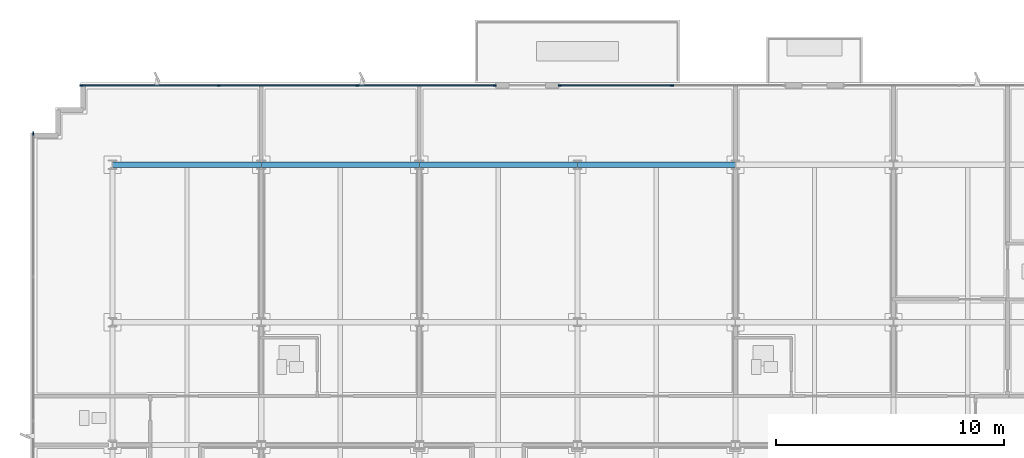
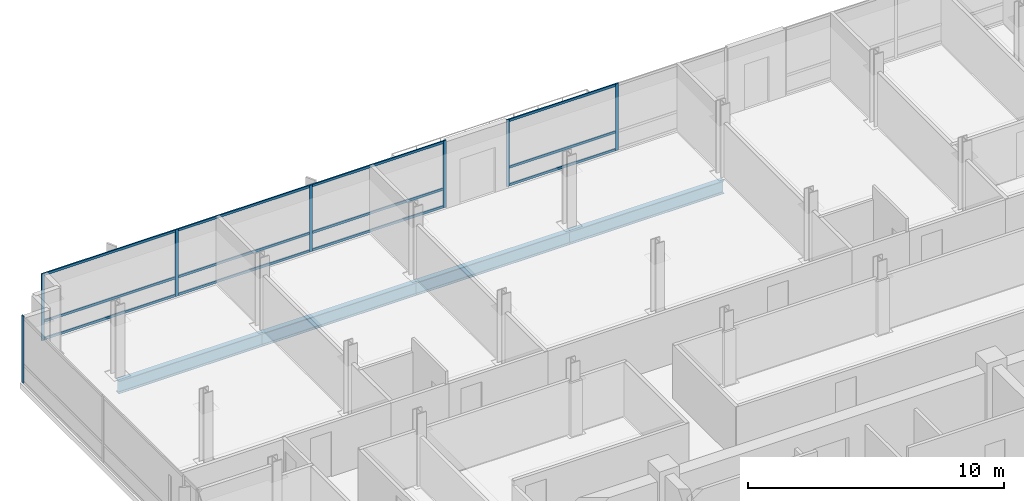
# One storey, part 8 of 19: 19 members, 4 beams, 3 elements without a shape of their own.
"""IFC4 building model written with IfcOpenShell, lengths in metres."""

from ifc_helpers import new_model, si_unit, direction, frame, origin, origin_2d, place, context, subcontext, project, spatial, rectangle, i_section, extrude, material, material_profile, profile_set, type_object, element, aggregate, save


model = new_model("IFC4")

# Units and contexts
model_context = context("Model", 3, precision=1e-05, world=origin(), true_north=direction((0.0, 1.0)))
body_context = subcontext(model_context, "Body", "Model", "MODEL_VIEW")
ifc_project = project(units=[si_unit("LENGTHUNIT", "METRE"), si_unit("AREAUNIT", "SQUARE_METRE"), si_unit("VOLUMEUNIT", "CUBIC_METRE"), si_unit("PLANEANGLEUNIT", "RADIAN"), si_unit("MASSUNIT", "GRAM", prefix="KILO")], contexts=[model_context])

# Site, building, storey
site_placement = place(None, origin())
site = spatial("IfcSite", under=ifc_project, at=site_placement, CompositionType="ELEMENT")
building_placement = place(site_placement, origin())
building = spatial("IfcBuilding", under=site, at=building_placement, Name="Solmavex Isthmus Hotel", CompositionType="ELEMENT")
storey_placement = place(building_placement, frame((0.0, 0.0, 262.64990234375)))
storey = spatial("IfcBuildingStorey", under=building, at=storey_placement, Name="L71", CompositionType="ELEMENT", Elevation=262.64990234375)

# Beams
ifc_material_1 = material(Name="Steel ASTM A992 Grade 50", Category="steel")
ifc_material_profile_1 = material_profile(ifc_material_1, i_section(OverallWidth=0.230224609375, OverallDepth=0.617431640625, WebThickness=0.01318359375, FlangeThickness=0.022216796875, FilletRadius=0.01513671875, at=origin_2d()), Name="W24X94")
ifc_profile_set_1 = profile_set([ifc_material_profile_1], Name="Steel ASTM A992 Grade 50")
beam_type = type_object("IfcBeamType", Name="BM-SP-W24X94", PredefinedType="SPANDREL", material=ifc_profile_set_1)
beam_placement = place(storey_placement, frame((-20.39990234375, 17.699951171875, -0.568603515625), z_axis=(1.0, 0.0, 0.0), x_axis=(0.0, 1.0, 0.0)))
element("IfcBeam", 1, at=beam_placement, inside=storey, type_object=beam_type, Name="Floor Girder L71-UG15", PredefinedType="SPANDREL", context=body_context, shape_type="SweptSolid", body=[
    extrude(i_section(OverallWidth=0.230224609375, OverallDepth=0.617431640625, WebThickness=0.01318359375, FlangeThickness=0.022216796875, FilletRadius=0.01513671875, at=origin_2d()), origin(), (0.0, 0.0, 1.0), 6.52783203125),
])
for number, where, z_axis, x_axis, name in (
    (2, (-13.8720703125, 17.699951171875, -0.568603515625), (1.0, 0.0, 0.0), (0.0, 1.0, 0.0), "Floor Girder L71-UG16"),
    (3, (-6.93603515625, 17.699951171875, -0.568603515625), (1.0, 0.0, 0.0), (0.0, 1.0, 0.0), "Floor Girder L71-UG17"),
    (4, (0.0, 17.699951171875, -0.568603515625), (1.0, 0.0, 0.0), (0.0, 1.0, 0.0), "Floor Girder L71-UG18"),
):
    element("IfcBeam", number, at=place(storey_placement, frame(where, z_axis=z_axis, x_axis=x_axis)), inside=storey, type_object=beam_type, Name=name, PredefinedType="SPANDREL", context=body_context, shape_type="SweptSolid", body=[
        extrude(i_section(OverallWidth=0.230224609375, OverallDepth=0.617431640625, WebThickness=0.01318359375, FlangeThickness=0.022216796875, FilletRadius=0.01513671875, at=origin_2d()), origin(), (0.0, 0.0, 1.0), 6.93603515625),
    ])

# Curtain wall, members
ifc_material_2 = material(Name="Aluminium alloy 6063-T6", Category="aluminium")
curtain_wall_type = type_object("IfcCurtainWallType", Name="CW-SYS-06", PredefinedType="NOTDEFINED", material=ifc_material_2)
curtain_wall_1_placement = place(storey_placement, origin())
curtain_wall_1 = element("IfcCurtainWall", 5, at=curtain_wall_1_placement, inside=storey, type_object=curtain_wall_type, Name="Stick Curtain Wall CWL-L71-N1", PredefinedType="NOTDEFINED")
ifc_material_profile_2 = material_profile(ifc_material_2, rectangle(XDim=0.06005859375, YDim=0.139892578125, at=origin_2d()), Name="CWM-60X140")
ifc_profile_set_2 = profile_set([ifc_material_profile_2], Name="Aluminium alloy 6063-T6")
member_type_1 = type_object("IfcMemberType", Name="CW-SYS-06-MUL", PredefinedType="MULLION", material=ifc_profile_set_2)
member_1_placement = place(storey_placement, frame((-21.77001953125, 21.179931640625, 0.0), z_axis=(0.0, 0.0, 1.0), x_axis=(0.0, 1.0, 0.0)))
member_1 = element("IfcMember", 6, at=member_1_placement, type_object=member_type_1, Name="CW-06 mullion 1", PredefinedType="MULLION", context=body_context, shape_type="SweptSolid", body=[
    extrude(rectangle(XDim=0.06005859375, YDim=0.139892578125, at=origin_2d()), origin(), (0.0, 0.0, 1.0), 3.190185546875),
])
member_2_placement = place(storey_placement, frame((-15.7333984375, 21.179931640625, 0.0), z_axis=(0.0, 0.0, 1.0), x_axis=(0.0, 1.0, 0.0)))
member_2 = element("IfcMember", 7, at=member_2_placement, type_object=member_type_1, Name="CW-06 mullion 2", PredefinedType="MULLION", context=body_context, shape_type="SweptSolid", body=[
    extrude(rectangle(XDim=0.06005859375, YDim=0.139892578125, at=origin_2d()), origin(), (0.0, 0.0, 1.0), 3.190185546875),
])
member_3_placement = place(storey_placement, frame((-9.666748046875, 21.179931640625, 0.0), z_axis=(0.0, 0.0, 1.0), x_axis=(0.0, 1.0, 0.0)))
member_3 = element("IfcMember", 8, at=member_3_placement, type_object=member_type_1, Name="CW-06 mullion 3", PredefinedType="MULLION", context=body_context, shape_type="SweptSolid", body=[
    extrude(rectangle(XDim=0.06005859375, YDim=0.139892578125, at=origin_2d()), origin(), (0.0, 0.0, 1.0), 3.190185546875),
])
member_4_placement = place(storey_placement, frame((-3.6298828125, 21.179931640625, 0.0), z_axis=(0.0, 0.0, 1.0), x_axis=(0.0, 1.0, 0.0)))
member_4 = element("IfcMember", 9, at=member_4_placement, type_object=member_type_1, Name="CW-06 mullion 4", PredefinedType="MULLION", context=body_context, shape_type="SweptSolid", body=[
    extrude(rectangle(XDim=0.06005859375, YDim=0.139892578125, at=origin_2d()), origin(), (0.0, 0.0, 1.0), 3.190185546875),
])

curtain_wall_2_placement = place(storey_placement, origin())
curtain_wall_2 = element("IfcCurtainWall", 10, at=curtain_wall_2_placement, inside=storey, type_object=curtain_wall_type, Name="Stick Curtain Wall CWL-L71-N2", PredefinedType="NOTDEFINED")
member_5_placement = place(storey_placement, frame((-0.77001953125, 21.179931640625, 0.0), z_axis=(0.0, 0.0, 1.0), x_axis=(0.0, 1.0, 0.0)))
member_5 = element("IfcMember", 11, at=member_5_placement, type_object=member_type_1, Name="CW-06 mullion 1", PredefinedType="MULLION", context=body_context, shape_type="SweptSolid", body=[
    extrude(rectangle(XDim=0.06005859375, YDim=0.139892578125, at=origin_2d()), origin(), (0.0, 0.0, 1.0), 3.190185546875),
])
member_6_placement = place(storey_placement, frame((4.152099609375, 21.179931640625, 0.0), z_axis=(0.0, 0.0, 1.0), x_axis=(0.0, 1.0, 0.0)))
member_6 = element("IfcMember", 12, at=member_6_placement, type_object=member_type_1, Name="CW-06 mullion 2", PredefinedType="MULLION", context=body_context, shape_type="SweptSolid", body=[
    extrude(rectangle(XDim=0.06005859375, YDim=0.139892578125, at=origin_2d()), origin(), (0.0, 0.0, 1.0), 3.190185546875),
])

# Curtain wall, member
curtain_wall_3_placement = place(storey_placement, origin())
curtain_wall_3 = element("IfcCurtainWall", 13, at=curtain_wall_3_placement, inside=storey, type_object=curtain_wall_type, Name="Stick Curtain Wall CWL-L71-W1", PredefinedType="NOTDEFINED")
member_7_placement = place(storey_placement, frame((-23.8798828125, 19.070068359375, 0.0), z_axis=(0.0, 0.0, 1.0), x_axis=(-1.0, 0.0, 0.0)))
member_7 = element("IfcMember", 14, at=member_7_placement, type_object=member_type_1, Name="CW-06 mullion 6", PredefinedType="MULLION", context=body_context, shape_type="SweptSolid", body=[
    extrude(rectangle(XDim=0.06005859375, YDim=0.139892578125, at=origin_2d()), origin(), (0.0, 0.0, 1.0), 3.190185546875),
])
aggregate(curtain_wall_3, [member_7])

# Member
ifc_material_profile_3 = material_profile(ifc_material_2, rectangle(XDim=0.06005859375, YDim=0.114990234375, at=origin_2d()), Name="CWT-60X115")
ifc_profile_set_3 = profile_set([ifc_material_profile_3], Name="Aluminium alloy 6063-T6")
member_type_2 = type_object("IfcMemberType", Name="CW-SYS-06-TRN", PredefinedType="USERDEFINED", material=ifc_profile_set_3)
member_8_placement = place(storey_placement, frame((-21.739990234375, 21.179931640625, 0.0576171875), z_axis=(1.0, 0.0, 0.0), x_axis=(0.0, 1.0, 0.0)))
member_8 = element("IfcMember", 15, at=member_8_placement, type_object=member_type_2, Name="CW-06 transom 1.1", ObjectType="TRANSOM", PredefinedType="USERDEFINED", context=body_context, shape_type="SweptSolid", body=[
    extrude(rectangle(XDim=0.06005859375, YDim=0.114990234375, at=origin_2d()), origin(), (0.0, 0.0, 1.0), 5.9765625),
])

member_9_placement = place(storey_placement, frame((-21.739990234375, 21.179931640625, 0.900146484375), z_axis=(1.0, 0.0, 0.0), x_axis=(0.0, 1.0, 0.0)))
member_9 = element("IfcMember", 16, at=member_9_placement, type_object=member_type_2, Name="CW-06 transom 1.2", ObjectType="TRANSOM", PredefinedType="USERDEFINED", context=body_context, shape_type="SweptSolid", body=[
    extrude(rectangle(XDim=0.06005859375, YDim=0.114990234375, at=origin_2d()), origin(), (0.0, 0.0, 1.0), 5.9765625),
])

member_10_placement = place(storey_placement, frame((-21.739990234375, 21.179931640625, 3.132568359375), z_axis=(1.0, 0.0, 0.0), x_axis=(0.0, 1.0, 0.0)))
member_10 = element("IfcMember", 17, at=member_10_placement, type_object=member_type_2, Name="CW-06 transom 1.3", ObjectType="TRANSOM", PredefinedType="USERDEFINED", context=body_context, shape_type="SweptSolid", body=[
    extrude(rectangle(XDim=0.06005859375, YDim=0.114990234375, at=origin_2d()), origin(), (0.0, 0.0, 1.0), 5.9765625),
])

member_11_placement = place(storey_placement, frame((-15.703369140625, 21.179931640625, 0.0576171875), z_axis=(1.0, 0.0, 0.0), x_axis=(0.0, 1.0, 0.0)))
member_11 = element("IfcMember", 18, at=member_11_placement, type_object=member_type_2, Name="CW-06 transom 2.1", ObjectType="TRANSOM", PredefinedType="USERDEFINED", context=body_context, shape_type="SweptSolid", body=[
    extrude(rectangle(XDim=0.06005859375, YDim=0.114990234375, at=origin_2d()), origin(), (0.0, 0.0, 1.0), 6.006591796875),
])

member_12_placement = place(storey_placement, frame((-15.703369140625, 21.179931640625, 0.900146484375), z_axis=(1.0, 0.0, 0.0), x_axis=(0.0, 1.0, 0.0)))
member_12 = element("IfcMember", 19, at=member_12_placement, type_object=member_type_2, Name="CW-06 transom 2.2", ObjectType="TRANSOM", PredefinedType="USERDEFINED", context=body_context, shape_type="SweptSolid", body=[
    extrude(rectangle(XDim=0.06005859375, YDim=0.114990234375, at=origin_2d()), origin(), (0.0, 0.0, 1.0), 6.006591796875),
])

member_13_placement = place(storey_placement, frame((-15.703369140625, 21.179931640625, 3.132568359375), z_axis=(1.0, 0.0, 0.0), x_axis=(0.0, 1.0, 0.0)))
member_13 = element("IfcMember", 20, at=member_13_placement, type_object=member_type_2, Name="CW-06 transom 2.3", ObjectType="TRANSOM", PredefinedType="USERDEFINED", context=body_context, shape_type="SweptSolid", body=[
    extrude(rectangle(XDim=0.06005859375, YDim=0.114990234375, at=origin_2d()), origin(), (0.0, 0.0, 1.0), 6.006591796875),
])

member_14_placement = place(storey_placement, frame((-9.63671875, 21.179931640625, 0.0576171875), z_axis=(1.0, 0.0, 0.0), x_axis=(0.0, 1.0, 0.0)))
member_14 = element("IfcMember", 21, at=member_14_placement, type_object=member_type_2, Name="CW-06 transom 3.1", ObjectType="TRANSOM", PredefinedType="USERDEFINED", context=body_context, shape_type="SweptSolid", body=[
    extrude(rectangle(XDim=0.06005859375, YDim=0.114990234375, at=origin_2d()), origin(), (0.0, 0.0, 1.0), 5.976806640625),
])

member_15_placement = place(storey_placement, frame((-9.63671875, 21.179931640625, 0.900146484375), z_axis=(1.0, 0.0, 0.0), x_axis=(0.0, 1.0, 0.0)))
member_15 = element("IfcMember", 22, at=member_15_placement, type_object=member_type_2, Name="CW-06 transom 3.2", ObjectType="TRANSOM", PredefinedType="USERDEFINED", context=body_context, shape_type="SweptSolid", body=[
    extrude(rectangle(XDim=0.06005859375, YDim=0.114990234375, at=origin_2d()), origin(), (0.0, 0.0, 1.0), 5.976806640625),
])

member_16_placement = place(storey_placement, frame((-9.63671875, 21.179931640625, 3.132568359375), z_axis=(1.0, 0.0, 0.0), x_axis=(0.0, 1.0, 0.0)))
member_16 = element("IfcMember", 23, at=member_16_placement, type_object=member_type_2, Name="CW-06 transom 3.3", ObjectType="TRANSOM", PredefinedType="USERDEFINED", context=body_context, shape_type="SweptSolid", body=[
    extrude(rectangle(XDim=0.06005859375, YDim=0.114990234375, at=origin_2d()), origin(), (0.0, 0.0, 1.0), 5.976806640625),
])

aggregate(curtain_wall_1, [member_1, member_2, member_3, member_4, member_8, member_9, member_10, member_11, member_12, member_13, member_14, member_15, member_16])

member_17_placement = place(storey_placement, frame((-0.739990234375, 21.179931640625, 0.0576171875), z_axis=(1.0, 0.0, 0.0), x_axis=(0.0, 1.0, 0.0)))
member_17 = element("IfcMember", 24, at=member_17_placement, type_object=member_type_2, Name="CW-06 transom 1.1", ObjectType="TRANSOM", PredefinedType="USERDEFINED", context=body_context, shape_type="SweptSolid", body=[
    extrude(rectangle(XDim=0.06005859375, YDim=0.114990234375, at=origin_2d()), origin(), (0.0, 0.0, 1.0), 4.862060546875),
])

member_18_placement = place(storey_placement, frame((-0.739990234375, 21.179931640625, 0.900146484375), z_axis=(1.0, 0.0, 0.0), x_axis=(0.0, 1.0, 0.0)))
member_18 = element("IfcMember", 25, at=member_18_placement, type_object=member_type_2, Name="CW-06 transom 1.2", ObjectType="TRANSOM", PredefinedType="USERDEFINED", context=body_context, shape_type="SweptSolid", body=[
    extrude(rectangle(XDim=0.06005859375, YDim=0.114990234375, at=origin_2d()), origin(), (0.0, 0.0, 1.0), 4.862060546875),
])

member_19_placement = place(storey_placement, frame((-0.739990234375, 21.179931640625, 3.132568359375), z_axis=(1.0, 0.0, 0.0), x_axis=(0.0, 1.0, 0.0)))
member_19 = element("IfcMember", 26, at=member_19_placement, type_object=member_type_2, Name="CW-06 transom 1.3", ObjectType="TRANSOM", PredefinedType="USERDEFINED", context=body_context, shape_type="SweptSolid", body=[
    extrude(rectangle(XDim=0.06005859375, YDim=0.114990234375, at=origin_2d()), origin(), (0.0, 0.0, 1.0), 4.862060546875),
])

aggregate(curtain_wall_2, [member_5, member_6, member_17, member_18, member_19])

save(model, "model.ifc")
